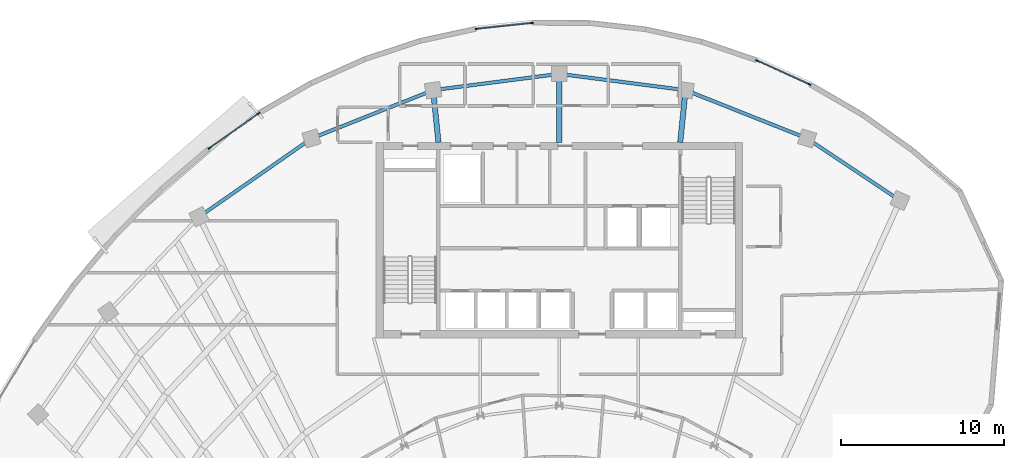
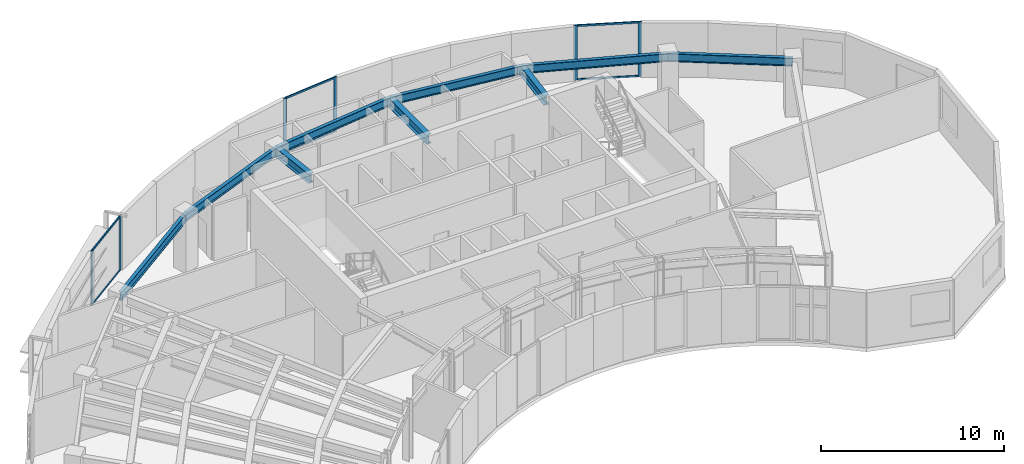
# One storey, part 4 of 12: 12 members, 9 beams, 3 elements without a shape of their own.
"""IFC4 building model written with IfcOpenShell, lengths in metres."""

from ifc_helpers import new_model, si_unit, direction, frame, origin, origin_2d, place, context, subcontext, project, spatial, rectangle, i_section, extrude, source, transform, mapped, material, layer, layer_set, material_profile, profile_set, type_object, element, aggregate, save


model = new_model("IFC4")

# Units and contexts
model_context = context("Model", 3, precision=1e-05, world=origin(), true_north=direction((0.0, 1.0)))
body_context = subcontext(model_context, "Body", "Model", "MODEL_VIEW")
ifc_project = project(units=[si_unit("LENGTHUNIT", "METRE"), si_unit("AREAUNIT", "SQUARE_METRE"), si_unit("VOLUMEUNIT", "CUBIC_METRE"), si_unit("PLANEANGLEUNIT", "RADIAN"), si_unit("MASSUNIT", "GRAM", prefix="KILO")], contexts=[model_context])

# Site, building, storey
site_placement = place(None, origin())
site = spatial("IfcSite", under=ifc_project, at=site_placement, CompositionType="ELEMENT")
building_placement = place(site_placement, origin())
building = spatial("IfcBuilding", under=site, at=building_placement, Name="Breltana Convention Tower", CompositionType="ELEMENT")
storey_placement = place(building_placement, frame((0.0, 0.0, 239.10009765625)))
storey = spatial("IfcBuildingStorey", under=building, at=storey_placement, Name="L58", CompositionType="ELEMENT", Elevation=239.10009765625)

# Beams
ifc_material_1 = material(Name="Steel ASTM A992 Grade 50", Category="steel")
ifc_material_profile_1 = material_profile(ifc_material_1, i_section(OverallWidth=0.326904296875, OverallDepth=0.6220703125, WebThickness=0.015380859375, FlangeThickness=0.0244140625, at=origin_2d()), Name="W24X131")
ifc_profile_set_1 = profile_set([ifc_material_profile_1], Name="Steel ASTM A992 Grade 50")
beam_type_1 = type_object("IfcBeamType", Name="BM-RG-W24X131", PredefinedType="USERDEFINED", material=ifc_profile_set_1)
shared_shape_1 = source(origin(), body_context, "Body", "SweptSolid", [
    extrude(i_section(OverallWidth=0.326904296875, OverallDepth=0.6220703125, WebThickness=0.015380859375, FlangeThickness=0.0244140625, at=origin_2d()), origin(), (0.0, 0.0, 1.0), 3.220947265625),
])
for number, where, z_axis, x_axis, name in (
    (1, (40.580078125, 72.199951171875, 3.3388671875), (-0.101492254858, 0.994836329355, 0.0), (-0.994836329355, -0.101492254858, 0.0), "L58 North Core Radial Girder R05"),
    (2, (55.419921875, 72.199951171875, 3.3388671875), (0.101492254858, 0.994836329355, 0.0), (-0.994836329355, 0.101492254858, 0.0), "L58 North Core Radial Girder R07"),
):
    element("IfcBeam", number, at=place(storey_placement, frame(where, z_axis=z_axis, x_axis=x_axis)), inside=storey, type_object=beam_type_1, Name=name, ObjectType="GIRDER", PredefinedType="USERDEFINED", context=body_context, shape_type="MappedRepresentation", body=[
        mapped(shared_shape_1, transform((0.0, 0.0, 0.0), scale=1.0)),
    ])
shared_shape_2 = source(origin(), body_context, "Body", "SweptSolid", [
    extrude(i_section(OverallWidth=0.326904296875, OverallDepth=0.6220703125, WebThickness=0.015380859375, FlangeThickness=0.0244140625, at=origin_2d()), origin(), (0.0, 0.0, 1.0), 4.2041015625),
])
beam_1_placement = place(storey_placement, frame((48.0, 72.199951171875, 3.3388671875), z_axis=(0.0, 1.0, 0.0), x_axis=(-1.0, 0.0, 0.0)))
element("IfcBeam", 3, at=beam_1_placement, inside=storey, type_object=beam_type_1, Name="L58 North Core Radial Girder R06", ObjectType="GIRDER", PredefinedType="USERDEFINED", context=body_context, shape_type="MappedRepresentation", body=[
    mapped(shared_shape_2, transform((0.0, 0.0, 0.0), scale=1.0)),
])
ifc_material_profile_2 = material_profile(ifc_material_1, i_section(OverallWidth=0.214111328125, OverallDepth=0.549072265625, WebThickness=0.0146484375, FlangeThickness=0.023681640625, at=origin_2d()), Name="W21X93")
ifc_profile_set_2 = profile_set([ifc_material_profile_2], Name="Steel ASTM A992 Grade 50")
beam_type_2 = type_object("IfcBeamType", Name="BM-SP-W21X93", PredefinedType="SPANDREL", material=ifc_profile_set_2)
shared_shape_3 = source(origin(), body_context, "Body", "SweptSolid", [
    extrude(i_section(OverallWidth=0.214111328125, OverallDepth=0.549072265625, WebThickness=0.0146484375, FlangeThickness=0.023681640625, at=origin_2d()), origin(), (0.0, 0.0, 1.0), 8.4169921875),
])
beam_2_placement = place(storey_placement, frame((25.8876953125, 67.626953125, 3.37548828125), z_axis=(0.820173800102, 0.572114444519, 0.0), x_axis=(-0.572114444519, 0.820173800102, 0.0)))
element("IfcBeam", 4, at=beam_2_placement, inside=storey, type_object=beam_type_2, Name="L58 Outer Spandrel Beam 03", PredefinedType="SPANDREL", context=body_context, shape_type="MappedRepresentation", body=[
    mapped(shared_shape_3, transform((0.0, 0.0, 0.0), scale=1.0)),
])
shared_shape_4 = source(origin(), body_context, "Body", "SweptSolid", [
    extrude(i_section(OverallWidth=0.214111328125, OverallDepth=0.549072265625, WebThickness=0.0146484375, FlangeThickness=0.023681640625, at=origin_2d()), origin(), (0.0, 0.0, 1.0), 8.028564453125),
])
for number, where, z_axis, x_axis, name in (
    (5, (32.791015625, 72.4423828125, 3.37548828125), (0.929459100394, 0.368925169507, 0.0), (-0.368925169507, 0.929459100394, 0.0), "L58 Outer Spandrel Beam 04"),
    (6, (55.746826171875, 75.404296875, 3.37548828125), (0.929459100394, -0.368925169507, 0.0), (0.368925169507, 0.929459100394, 0.0), "L58 Outer Spandrel Beam 07"),
):
    element("IfcBeam", number, at=place(storey_placement, frame(where, z_axis=z_axis, x_axis=x_axis)), inside=storey, type_object=beam_type_2, Name=name, PredefinedType="SPANDREL", context=body_context, shape_type="MappedRepresentation", body=[
        mapped(shared_shape_4, transform((0.0, 0.0, 0.0), scale=1.0)),
    ])
shared_shape_5 = source(origin(), body_context, "Body", "SweptSolid", [
    extrude(i_section(OverallWidth=0.214111328125, OverallDepth=0.549072265625, WebThickness=0.0146484375, FlangeThickness=0.023681640625, at=origin_2d()), origin(), (0.0, 0.0, 1.0), 7.81103515625),
])
for number, where, z_axis, x_axis, name in (
    (7, (40.253173828125, 75.404296875, 3.37548828125), (0.991775179127, 0.127992164083, 0.0), (-0.127992164083, 0.991775179127, 0.0), "L58 Outer Spandrel Beam 05"),
    (8, (48.0, 76.404052734375, 3.37548828125), (0.991775179127, -0.127992164083, 0.0), (0.127992164083, 0.991775179127, 0.0), "L58 Outer Spandrel Beam 06"),
):
    element("IfcBeam", number, at=place(storey_placement, frame(where, z_axis=z_axis, x_axis=x_axis)), inside=storey, type_object=beam_type_2, Name=name, PredefinedType="SPANDREL", context=body_context, shape_type="MappedRepresentation", body=[
        mapped(shared_shape_5, transform((0.0, 0.0, 0.0), scale=1.0)),
    ])
shared_shape_6 = source(origin(), body_context, "Body", "SweptSolid", [
    extrude(i_section(OverallWidth=0.214111328125, OverallDepth=0.549072265625, WebThickness=0.0146484375, FlangeThickness=0.023681640625, at=origin_2d()), origin(), (0.0, 0.0, 1.0), 6.856689453125),
])
beam_3_placement = place(storey_placement, frame((63.208984375, 72.4423828125, 3.37548828125), z_axis=(0.83150210718, -0.55552159792, 0.0), x_axis=(0.55552159792, 0.83150210718, 0.0)))
element("IfcBeam", 9, at=beam_3_placement, inside=storey, type_object=beam_type_2, Name="L58 Outer Spandrel Beam 08", PredefinedType="SPANDREL", context=body_context, shape_type="MappedRepresentation", body=[
    mapped(shared_shape_6, transform((0.0, 0.0, 0.0), scale=1.0)),
])

# Curtain wall, members
ifc_material_2 = material(Name="Aluminium Anodised Bronze Frame", Category="aluminium")
ifc_layer = layer(ifc_material_2, 0.219970703125, Name="Aluminium Anodised Bronze Frame")
ifc_layer_set = layer_set([ifc_layer], Name="Aluminium Anodised Bronze Frame")
curtain_wall_type = type_object("IfcCurtainWallType", Name="CW-SYS-4", PredefinedType="NOTDEFINED", material=ifc_layer_set)
curtain_wall_1_placement = place(storey_placement, origin())
curtain_wall_1 = element("IfcCurtainWall", 10, at=curtain_wall_1_placement, inside=storey, type_object=curtain_wall_type, Name="L58 outer double-skin inner glazing 2", PredefinedType="NOTDEFINED")
ifc_material_3 = material(Name="Aluminium Anodised Bronze", Category="aluminium")
ifc_material_profile_3 = material_profile(ifc_material_3, rectangle(XDim=0.080078125, YDim=0.199951171875, at=origin_2d()), Name="CWM-80X200")
ifc_profile_set_3 = profile_set([ifc_material_profile_3], Name="Aluminium Anodised Bronze")
member_type_1 = type_object("IfcMemberType", Name="CWM-200", PredefinedType="MULLION", material=ifc_profile_set_3)
shared_shape_7 = source(origin(), body_context, "Body", "SweptSolid", [
    extrude(rectangle(XDim=0.080078125, YDim=0.199951171875, at=origin_2d()), origin(), (0.0, 0.0, 1.0), 3.64990234375),
])
member_1_placement = place(storey_placement, frame((26.528076171875, 71.8466796875, 0.0), z_axis=(0.0, 0.0, 1.0), x_axis=(-0.576624880786, 0.817009024955, 0.0)))
member_1 = element("IfcMember", 11, at=member_1_placement, type_object=member_type_1, Name="CW-04 mullion 1", PredefinedType="MULLION", context=body_context, shape_type="MappedRepresentation", body=[
    mapped(shared_shape_7, transform((0.0, 0.0, 0.0), scale=1.0)),
])
member_2_placement = place(storey_placement, frame((29.54296875, 73.974609375, 0.0), z_axis=(0.0, 0.0, 1.0), x_axis=(-0.576624880786, 0.817009024955, 0.0)))
member_2 = element("IfcMember", 12, at=member_2_placement, type_object=member_type_1, Name="CW-04 mullion 2", PredefinedType="MULLION", context=body_context, shape_type="MappedRepresentation", body=[
    mapped(shared_shape_7, transform((0.0, 0.0, 0.0), scale=1.0)),
])

curtain_wall_2_placement = place(storey_placement, origin())
curtain_wall_2 = element("IfcCurtainWall", 13, at=curtain_wall_2_placement, inside=storey, type_object=curtain_wall_type, Name="L58 outer double-skin inner glazing 3", PredefinedType="NOTDEFINED")
member_3_placement = place(storey_placement, frame((42.927734375, 79.16796875, 0.0), z_axis=(0.0, 0.0, 1.0), x_axis=(-0.105471640654, 0.994422311203, 0.0)))
member_3 = element("IfcMember", 14, at=member_3_placement, type_object=member_type_1, Name="CW-04 mullion 1", PredefinedType="MULLION", context=body_context, shape_type="MappedRepresentation", body=[
    mapped(shared_shape_7, transform((0.0, 0.0, 0.0), scale=1.0)),
])
member_4_placement = place(storey_placement, frame((46.31494140625, 79.527099609375, 0.0), z_axis=(0.0, 0.0, 1.0), x_axis=(-0.105471640654, 0.994422311203, 0.0)))
member_4 = element("IfcMember", 15, at=member_4_placement, type_object=member_type_1, Name="CW-04 mullion 2", PredefinedType="MULLION", context=body_context, shape_type="MappedRepresentation", body=[
    mapped(shared_shape_7, transform((0.0, 0.0, 0.0), scale=1.0)),
])

curtain_wall_3_placement = place(storey_placement, origin())
curtain_wall_3 = element("IfcCurtainWall", 16, at=curtain_wall_3_placement, inside=storey, type_object=curtain_wall_type, Name="L58 outer double-skin inner glazing 4", PredefinedType="NOTDEFINED")
member_5_placement = place(storey_placement, frame((60.13916015625, 77.219970703125, 0.0), z_axis=(0.0, 0.0, 1.0), x_axis=(0.413538566823, 0.910486602729, 0.0)))
member_5 = element("IfcMember", 17, at=member_5_placement, type_object=member_type_1, Name="CW-04 mullion 1", PredefinedType="MULLION", context=body_context, shape_type="MappedRepresentation", body=[
    mapped(shared_shape_7, transform((0.0, 0.0, 0.0), scale=1.0)),
])
member_6_placement = place(storey_placement, frame((63.36181640625, 75.75634765625, 0.0), z_axis=(0.0, 0.0, 1.0), x_axis=(0.413538566823, 0.910486602729, 0.0)))
member_6 = element("IfcMember", 18, at=member_6_placement, type_object=member_type_1, Name="CW-04 mullion 2", PredefinedType="MULLION", context=body_context, shape_type="MappedRepresentation", body=[
    mapped(shared_shape_7, transform((0.0, 0.0, 0.0), scale=1.0)),
])

# Member
ifc_material_profile_4 = material_profile(ifc_material_3, rectangle(XDim=0.070068359375, YDim=0.1201171875, at=origin_2d()), Name="CWT-70X120")
ifc_profile_set_4 = profile_set([ifc_material_profile_4], Name="Aluminium Anodised Bronze")
member_type_2 = type_object("IfcMemberType", Name="CWT-120", PredefinedType="USERDEFINED", material=ifc_profile_set_4)
shared_shape_8 = source(origin(), body_context, "Body", "SweptSolid", [
    extrude(rectangle(XDim=0.070068359375, YDim=0.1201171875, at=origin_2d()), origin(), (0.0, 0.0, 1.0), 3.610107421875),
])
member_7_placement = place(storey_placement, frame((26.560791015625, 71.86962890625, 0.034912109375), z_axis=(0.816992226712, 0.576648681167, 0.0), x_axis=(-0.576648681167, 0.816992226712, 0.0)))
member_7 = element("IfcMember", 19, at=member_7_placement, type_object=member_type_2, Name="CW-04 transom 1.1", ObjectType="TRANSOM", PredefinedType="USERDEFINED", context=body_context, shape_type="MappedRepresentation", body=[
    mapped(shared_shape_8, transform((0.0, 0.0, 0.0), scale=1.0)),
])

member_8_placement = place(storey_placement, frame((26.560791015625, 71.86962890625, 3.614990234375), z_axis=(0.816992226712, 0.576648681167, 0.0), x_axis=(-0.576648681167, 0.816992226712, 0.0)))
member_8 = element("IfcMember", 20, at=member_8_placement, type_object=member_type_2, Name="CW-04 transom 1.2", ObjectType="TRANSOM", PredefinedType="USERDEFINED", context=body_context, shape_type="MappedRepresentation", body=[
    mapped(shared_shape_8, transform((0.0, 0.0, 0.0), scale=1.0)),
])

aggregate(curtain_wall_1, [member_1, member_2, member_7, member_8])

shared_shape_9 = source(origin(), body_context, "Body", "SweptSolid", [
    extrude(rectangle(XDim=0.070068359375, YDim=0.1201171875, at=origin_2d()), origin(), (0.0, 0.0, 1.0), 3.326171875),
])
member_9_placement = place(storey_placement, frame((42.967529296875, 79.172119140625, 0.034912109375), z_axis=(0.994421884836, 0.105475660504, 0.0), x_axis=(-0.105475660504, 0.994421884836, 0.0)))
member_9 = element("IfcMember", 21, at=member_9_placement, type_object=member_type_2, Name="CW-04 transom 1.1", ObjectType="TRANSOM", PredefinedType="USERDEFINED", context=body_context, shape_type="MappedRepresentation", body=[
    mapped(shared_shape_9, transform((0.0, 0.0, 0.0), scale=1.0)),
])

member_10_placement = place(storey_placement, frame((42.967529296875, 79.172119140625, 3.614990234375), z_axis=(0.994421884836, 0.105475660504, 0.0), x_axis=(-0.105475660504, 0.994421884836, 0.0)))
member_10 = element("IfcMember", 22, at=member_10_placement, type_object=member_type_2, Name="CW-04 transom 1.2", ObjectType="TRANSOM", PredefinedType="USERDEFINED", context=body_context, shape_type="MappedRepresentation", body=[
    mapped(shared_shape_9, transform((0.0, 0.0, 0.0), scale=1.0)),
])

aggregate(curtain_wall_2, [member_3, member_4, member_9, member_10])

shared_shape_10 = source(origin(), body_context, "Body", "SweptSolid", [
    extrude(rectangle(XDim=0.070068359375, YDim=0.1201171875, at=origin_2d()), origin(), (0.0, 0.0, 1.0), 3.45947265625),
])
member_11_placement = place(storey_placement, frame((60.175537109375, 77.203369140625, 0.034912109375), z_axis=(0.910487276777, -0.413537082771, 0.0), x_axis=(0.413537082771, 0.910487276777, 0.0)))
member_11 = element("IfcMember", 23, at=member_11_placement, type_object=member_type_2, Name="CW-04 transom 1.1", ObjectType="TRANSOM", PredefinedType="USERDEFINED", context=body_context, shape_type="MappedRepresentation", body=[
    mapped(shared_shape_10, transform((0.0, 0.0, 0.0), scale=1.0)),
])

member_12_placement = place(storey_placement, frame((60.175537109375, 77.203369140625, 3.614990234375), z_axis=(0.910487276777, -0.413537082771, 0.0), x_axis=(0.413537082771, 0.910487276777, 0.0)))
member_12 = element("IfcMember", 24, at=member_12_placement, type_object=member_type_2, Name="CW-04 transom 1.2", ObjectType="TRANSOM", PredefinedType="USERDEFINED", context=body_context, shape_type="MappedRepresentation", body=[
    mapped(shared_shape_10, transform((0.0, 0.0, 0.0), scale=1.0)),
])

aggregate(curtain_wall_3, [member_5, member_6, member_11, member_12])

save(model, "model.ifc")
